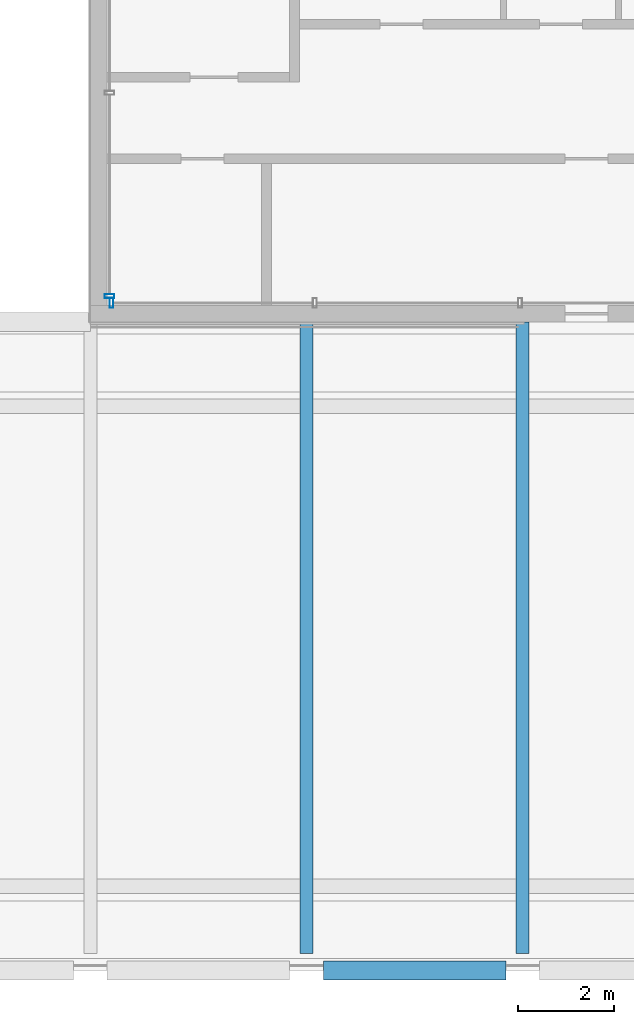
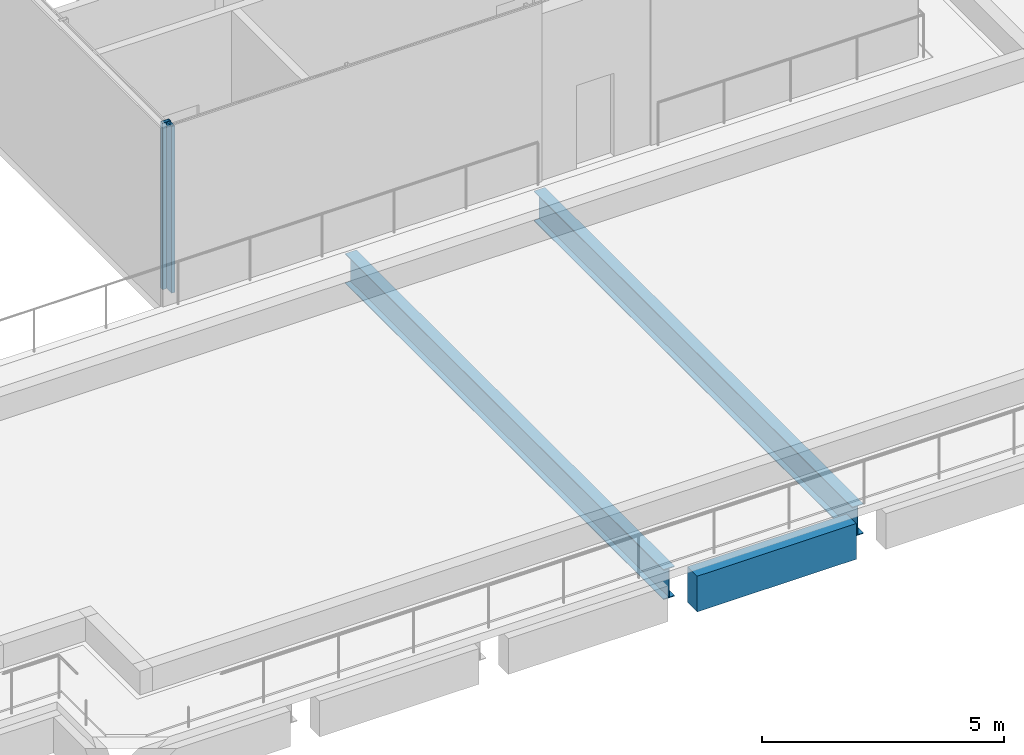
# One storey, part 2 of 11: 3 beams, 2 members, 2 elements without a shape of their own.
"""IFC4 building model written with IfcOpenShell, lengths in metres."""

from ifc_helpers import new_model, si_unit, direction, frame, origin, origin_2d, place, context, subcontext, project, spatial, rectangle, hollow_rectangle, i_section, extrude, material, material_profile, profile_set, type_object, element, aggregate, save


model = new_model("IFC4")

# Units and contexts
model_context = context("Model", 3, precision=1e-05, world=origin(), true_north=direction((0.0, 1.0)))
body_context = subcontext(model_context, "Body", "Model", "MODEL_VIEW")
ifc_project = project(units=[si_unit("LENGTHUNIT", "METRE"), si_unit("AREAUNIT", "SQUARE_METRE"), si_unit("VOLUMEUNIT", "CUBIC_METRE"), si_unit("PLANEANGLEUNIT", "RADIAN"), si_unit("MASSUNIT", "GRAM", prefix="KILO")], contexts=[model_context])

# Site, building, storey
site_placement = place(None, origin())
site = spatial("IfcSite", under=ifc_project, at=site_placement, CompositionType="ELEMENT")
building_placement = place(site_placement, origin())
building = spatial("IfcBuilding", under=site, at=building_placement, Name="Altepetl Exchange Towers", CompositionType="ELEMENT")
storey_placement = place(building_placement, frame((0.0, 0.0, 274.60009765625)))
storey = spatial("IfcBuildingStorey", under=building, at=storey_placement, Name="L69 Crown plant", CompositionType="ELEMENT", Elevation=274.60009765625)

# Beams
ifc_material_1 = material(Name="Steel S355", Category="steel")
ifc_material_profile_1 = material_profile(ifc_material_1, i_section(OverallWidth=0.26611328125, OverallDepth=0.758056640625, WebThickness=0.013916015625, FlangeThickness=0.019287109375, at=origin_2d()), Name="W30X108")
ifc_profile_set_1 = profile_set([ifc_material_profile_1], Name="Steel S355")
beam_type_1 = type_object("IfcBeamType", Name="Floor beam W30X108", PredefinedType="BEAM", material=ifc_profile_set_1)
for number, where, z_axis, x_axis, name in (
    (1, (45.0, 27.35009765625, -0.5791015625), (0.0, 1.0, 0.0), (-1.0, 0.0, 0.0), "bm:A:L69:t009"),
    (2, (49.5, 27.35009765625, -0.5791015625), (0.0, 1.0, 0.0), (-1.0, 0.0, 0.0), "bm:A:L69:t010"),
):
    element("IfcBeam", number, at=place(storey_placement, frame(where, z_axis=z_axis, x_axis=x_axis)), inside=storey, type_object=beam_type_1, Name=name, PredefinedType="BEAM", context=body_context, shape_type="SweptSolid", body=[
        extrude(i_section(OverallWidth=0.26611328125, OverallDepth=0.758056640625, WebThickness=0.013916015625, FlangeThickness=0.019287109375, at=origin_2d()), origin(), (0.0, 0.0, 1.0), 13.14990234375),
    ])

# Curtain wall, member
ifc_material_2 = material(Name="Aluminium 6063-T6 glazing", Category="aluminium")
curtain_wall_type = type_object("IfcCurtainWallType", Name="Crown glazing system", PredefinedType="NOTDEFINED", material=ifc_material_2)
curtain_wall_1_placement = place(storey_placement, origin())
curtain_wall_1 = element("IfcCurtainWall", 3, at=curtain_wall_1_placement, inside=storey, type_object=curtain_wall_type, Name="CW7 run", PredefinedType="NOTDEFINED")
ifc_material_3 = material(Name="Aluminium 6063-T6", Category="aluminium")
ifc_material_profile_2 = material_profile(ifc_material_3, hollow_rectangle(XDim=0.080078125, YDim=0.199951171875, WallThickness=0.0029296875, at=origin_2d()), Name="Mullion 80x200 hollow aluminium")
ifc_profile_set_2 = profile_set([ifc_material_profile_2], Name="Aluminium 6063-T6")
member_type = type_object("IfcMemberType", Name="Mullion 80x200 hollow aluminium", PredefinedType="MULLION", material=ifc_profile_set_2)
member_1_placement = place(storey_placement, frame((40.89990234375, 41.0400390625, 0.0), z_axis=(0.0, 0.0, 1.0), x_axis=(0.0, -1.0, 0.0)))
member_1 = element("IfcMember", 4, at=member_1_placement, type_object=member_type, Name="MU5 mullion", PredefinedType="MULLION", context=body_context, shape_type="SweptSolid", body=[
    extrude(hollow_rectangle(XDim=0.080078125, YDim=0.199951171875, WallThickness=0.0029296875, at=origin_2d()), origin(), (0.0, 0.0, 1.0), 4.199951171875),
])
aggregate(curtain_wall_1, [member_1])

curtain_wall_2_placement = place(storey_placement, origin())
curtain_wall_2 = element("IfcCurtainWall", 5, at=curtain_wall_2_placement, inside=storey, type_object=curtain_wall_type, Name="CW7 run", PredefinedType="NOTDEFINED")
member_2_placement = place(storey_placement, frame((40.93994140625, 40.89990234375, 0.0)))
member_2 = element("IfcMember", 6, at=member_2_placement, type_object=member_type, Name="MU5 mullion", PredefinedType="MULLION", context=body_context, shape_type="SweptSolid", body=[
    extrude(hollow_rectangle(XDim=0.080078125, YDim=0.199951171875, WallThickness=0.0029296875, at=origin_2d()), origin(), (0.0, 0.0, 1.0), 4.199951171875),
])
aggregate(curtain_wall_2, [member_2])

# Beam
ifc_material_4 = material(Name="Concrete C50/60 precast with cantera blanca facing", Category="concrete")
ifc_material_profile_3 = material_profile(ifc_material_4, rectangle(XDim=0.39990234375, YDim=0.89990234375, at=origin_2d()), Name="400 x 900")
ifc_profile_set_3 = profile_set([ifc_material_profile_3], Name="Concrete C50/60 precast with cantera blanca facing")
beam_type_2 = type_object("IfcBeamType", Name="Spandrel beam 400x900 cantera blanca", PredefinedType="SPANDREL", material=ifc_profile_set_3)
beam_placement = place(storey_placement, frame((45.35009765625, 27.0, -0.650146484375), z_axis=(1.0, 0.0, 0.0), x_axis=(0.0, 1.0, 0.0)))
element("IfcBeam", 7, at=beam_placement, inside=storey, type_object=beam_type_2, Name="sp:A:L69:t003", PredefinedType="SPANDREL", context=body_context, shape_type="SweptSolid", body=[
    extrude(rectangle(XDim=0.39990234375, YDim=0.89990234375, at=origin_2d()), origin(), (0.0, 0.0, 1.0), 3.7998046875),
])

save(model, "model.ifc")
